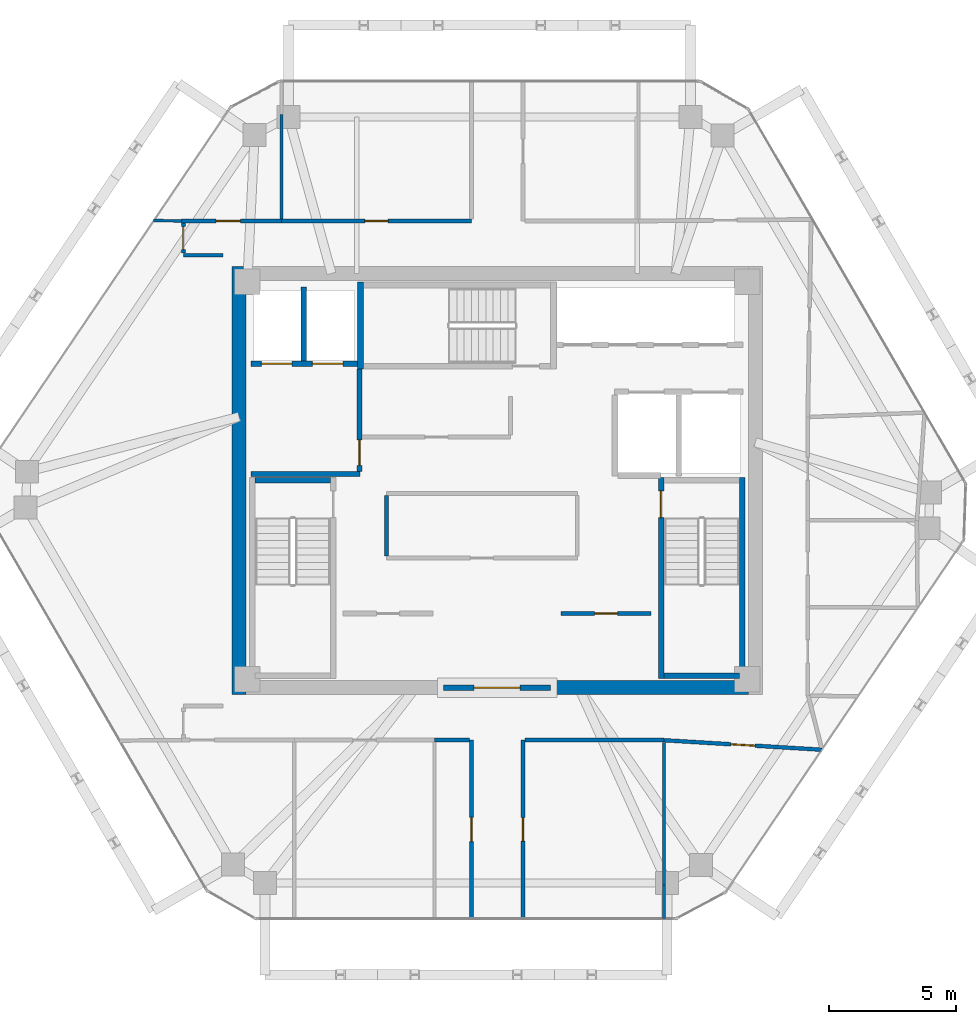
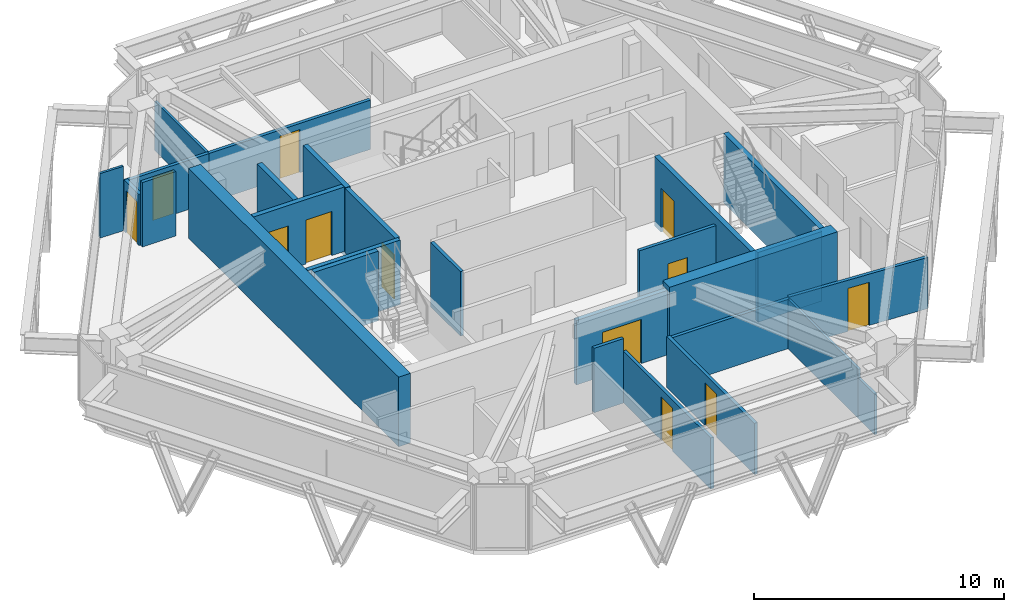
# One storey, part 8 of 11: 27 walls, 12 doors, 12 openings.
"""IFC4 building model written with IfcOpenShell, lengths in metres."""

import ifcopenshell
import ifcopenshell.guid

model = None  # the IFC model being written
_history = None  # IfcOwnerHistory: only IFC2X3 demands one
_inside = {}  # id of a spatial element -> (the spatial element, [elements in it])
_under = {}  # id of a project, library or spatial element -> (it, [spatial elements below it])
_declared = {}  # id of a project -> (the project, [libraries it declares])
_typed = {}  # id of a type object -> (the type object, [elements of that type])
_made_of = {}  # id of a material, layer set ... -> (it, [elements and type objects made of it])


def new_model(schema):
    """Start an empty IFC model of exactly this schema.

    Asked for "IFC4X3", IfcOpenShell would pick the latest addendum, in which some entities
    have other attributes; the version numbers below select the first issue.
    IFC2X3 requires an IfcOwnerHistory on every rooted entity: one is made here for all.
    """
    global model, _history
    if schema == "IFC4X3":
        model = ifcopenshell.file(schema_version=(4, 3, 0, 0))
    else:
        model = ifcopenshell.file(schema=schema)
    _inside.clear()
    _under.clear()
    _declared.clear()
    _typed.clear()
    _made_of.clear()
    _history = None
    if model.schema == "IFC2X3":
        org = make("IfcOrganization", Name="unknown")
        user = make(
            "IfcPersonAndOrganization",
            ThePerson=make("IfcPerson", FamilyName="unknown"),
            TheOrganization=org,
        )
        app = make(
            "IfcApplication",
            ApplicationDeveloper=org,
            Version="unknown",
            ApplicationFullName="unknown",
            ApplicationIdentifier="unknown",
        )
        _history = make(
            "IfcOwnerHistory",
            OwningUser=user,
            OwningApplication=app,
            ChangeAction="ADDED",
            CreationDate=0,
        )
    return model


def make(cls, **values):
    """One entity of the class cls with the attributes given. An attribute that is None is left unset."""
    return model.create_entity(
        cls, **{name: value for name, value in values.items() if value is not None}
    )


def rooted(cls, **values):
    """An entity with a GlobalId (a new one), such as an element, a storey or a relation."""
    return make(cls, GlobalId=ifcopenshell.guid.new(), OwnerHistory=_history, **values)


def si_unit(unit_type, name, prefix=None):
    """IfcSIUnit, for example si_unit("LENGTHUNIT", "METRE", prefix="MILLI")."""
    return make("IfcSIUnit", UnitType=unit_type, Prefix=prefix, Name=name)


def assignment(units):
    """IfcUnitAssignment: the units of a project."""
    return None if units is None else make("IfcUnitAssignment", Units=units)


def point(xyz):
    """IfcCartesianPoint."""
    return None if xyz is None else make("IfcCartesianPoint", Coordinates=xyz)


def direction(xyz):
    """IfcDirection."""
    return None if xyz is None else make("IfcDirection", DirectionRatios=xyz)


def frame(location, z_axis=None, x_axis=None):
    """IfcAxis2Placement3D, a coordinate frame: its origin and axes. An axis left out is left unset."""
    return make(
        "IfcAxis2Placement3D",
        Location=point(location),
        Axis=direction(z_axis),
        RefDirection=direction(x_axis),
    )


def frame_2d(location, x_axis=None):
    """IfcAxis2Placement2D, a coordinate frame in the plane: its origin and x axis."""
    return make(
        "IfcAxis2Placement2D", Location=point(location), RefDirection=direction(x_axis)
    )


def origin():
    """The frame at (0, 0, 0) with its axes left unset."""
    return frame((0.0, 0.0, 0.0))


def place(relative_to, where):
    """IfcLocalPlacement: puts the frame where relative to a parent placement (None: the world)."""
    return make(
        "IfcLocalPlacement", PlacementRelTo=relative_to, RelativePlacement=where
    )


def context(
    kind, dimensions, precision=None, world=None, true_north=None, identifier=None
):
    """IfcGeometricRepresentationContext, for example the 3D "Model" context."""
    return make(
        "IfcGeometricRepresentationContext",
        ContextIdentifier=identifier,
        ContextType=kind,
        CoordinateSpaceDimension=dimensions,
        Precision=precision,
        WorldCoordinateSystem=world,
        TrueNorth=true_north,
    )


def subcontext(parent, identifier, kind, view, scale=None):
    """IfcGeometricRepresentationSubContext, for example "Body" below "Model"."""
    return make(
        "IfcGeometricRepresentationSubContext",
        ContextIdentifier=identifier,
        ContextType=kind,
        ParentContext=parent,
        TargetScale=scale,
        TargetView=view,
    )


def project(units=None, contexts=None):
    """IfcProject with its units and contexts."""
    return rooted(
        "IfcProject",
        Name="project",
        RepresentationContexts=contexts,
        UnitsInContext=assignment(units),
    )


def spatial(cls, under=None, at=None, **own):
    """A site, building, storey or space (cls), placed at a placement, below another one or the project."""
    s = rooted(cls, ObjectPlacement=at, **own)
    if under is not None:
        _under.setdefault(under.id(), (under, []))[1].append(s)
    return s


def profile(cls, at=None, kind="AREA", **sizes):
    """A parametric profile (cls). Its sizes go by their IFC names, for example OverallWidth=200.0."""
    return make(cls, ProfileType=kind, Position=at, **sizes)


def rectangle(**sizes):
    """IfcRectangleProfileDef."""
    return profile("IfcRectangleProfileDef", **sizes)


def extrude(swept, where, along, depth):
    """IfcExtrudedAreaSolid: the profile swept, set in the frame where, extruded along a direction by depth."""
    return make(
        "IfcExtrudedAreaSolid",
        SweptArea=swept,
        Position=where,
        ExtrudedDirection=direction(along),
        Depth=depth,
    )


def shape(context_of_items, identifier, shape_type, items):
    """IfcShapeRepresentation: the items that make up one representation, for example the "Body"."""
    return make(
        "IfcShapeRepresentation",
        ContextOfItems=context_of_items,
        RepresentationIdentifier=identifier,
        RepresentationType=shape_type,
        Items=items,
    )


def source(mapping_origin, context_of_items, identifier, shape_type, items):
    """IfcRepresentationMap: a shape defined once, which mapped items show again and again."""
    return make(
        "IfcRepresentationMap",
        MappingOrigin=mapping_origin,
        MappedRepresentation=shape(context_of_items, identifier, shape_type, items),
    )


def transform(
    local_origin,
    x_axis=None,
    y_axis=None,
    z_axis=None,
    scale=None,
    scale2=None,
    scale3=None,
    uniform=True,
):
    """IfcCartesianTransformationOperator3D, or its non-uniform kind. x_axis, y_axis, z_axis: its Axis1, 2, 3."""
    if uniform:
        return make(
            "IfcCartesianTransformationOperator3D",
            Axis1=direction(x_axis),
            Axis2=direction(y_axis),
            LocalOrigin=point(local_origin),
            Scale=scale,
            Axis3=direction(z_axis),
        )
    return make(
        "IfcCartesianTransformationOperator3DnonUniform",
        Axis1=direction(x_axis),
        Axis2=direction(y_axis),
        LocalOrigin=point(local_origin),
        Scale=scale,
        Axis3=direction(z_axis),
        Scale2=scale2,
        Scale3=scale3,
    )


def mapped(mapping_source, mapping_target):
    """IfcMappedItem: shows the shape of a source again, moved by a transform."""
    return make(
        "IfcMappedItem", MappingSource=mapping_source, MappingTarget=mapping_target
    )


def material(Name=None, Category=None):
    """IfcMaterial."""
    return make("IfcMaterial", Name=Name, Category=Category)


def layer(
    of_material, thickness, ventilated=None, Name=None, Category=None, Priority=None
):
    """IfcMaterialLayer: one layer of a wall or slab, of a material (None: an air gap)."""
    return make(
        "IfcMaterialLayer",
        Material=of_material,
        LayerThickness=thickness,
        IsVentilated=ventilated,
        Name=Name,
        Category=Category,
        Priority=Priority,
    )


def layer_set(layers, Name=None):
    """IfcMaterialLayerSet."""
    return make("IfcMaterialLayerSet", MaterialLayers=layers, LayerSetName=Name)


def made_of(thing, what):
    """Note that an element or type object is made of a material, layer set ...; save() writes the relation."""
    if what is not None:
        _made_of.setdefault(what.id(), (what, []))[1].append(thing)
    return thing


def type_object(cls, material=None, **own):
    """A type object (cls), such as IfcWallType, which elements share."""
    return made_of(rooted(cls, **own), material)


def type_shapes(of_type, sources):
    """Give a type object the sources (RepresentationMaps) that its elements show as mapped items."""
    of_type.RepresentationMaps = sources


def element(
    cls,
    number,
    at=None,
    inside=None,
    cuts=None,
    type_object=None,
    material=None,
    context=None,
    identifier="Body",
    shape_type=None,
    held_by="IfcProductDefinitionShape",
    body=None,
    shapes=None,
    **own,
):
    """One element of the class cls, such as IfcWall. Its Tag is "e" and its number.

    at: its placement. inside: the storey or other place that contains it. cuts: it is an
    opening in that element (IfcRelVoidsElement). A single representation is given by context,
    identifier, shape_type and body (its items); several are given by shapes. held_by: the class
    of the entity that holds the representations. save() writes the other relations.
    """
    e = rooted(cls, Tag="e%d" % number, ObjectPlacement=at, **own)
    if body is not None:
        shapes = [shape(context, identifier, shape_type, body)]
    if shapes is not None:
        e.Representation = make(held_by, Representations=shapes)
    if inside is not None:
        _inside.setdefault(inside.id(), (inside, []))[1].append(e)
    if cuts is not None:
        rooted(
            "IfcRelVoidsElement", RelatingBuildingElement=cuts, RelatedOpeningElement=e
        )
    if type_object is not None:
        _typed.setdefault(type_object.id(), (type_object, []))[1].append(e)
    return made_of(e, material)


def fill(opening, filler):
    """IfcRelFillsElement: the door or window that sits in an opening."""
    return rooted(
        "IfcRelFillsElement",
        RelatingOpeningElement=opening,
        RelatedBuildingElement=filler,
    )


def aggregate(whole, parts):
    """IfcRelAggregates: a whole, such as a stair, and the parts it consists of."""
    return rooted("IfcRelAggregates", RelatingObject=whole, RelatedObjects=parts)


def save(model, path):
    """Write the relations noted so far, then the file.

    IfcRelAggregates (storeys below a building ...), IfcRelContainedInSpatialStructure (elements
    in a storey), IfcRelDefinesByType, IfcRelAssociatesMaterial and IfcRelDeclares: one each for
    every whole, place, type object, material and project.
    """
    for whole, parts in _under.values():
        aggregate(whole, parts)
    for where, things in _inside.values():
        rooted(
            "IfcRelContainedInSpatialStructure",
            RelatedElements=things,
            RelatingStructure=where,
        )
    for kind, things in _typed.values():
        rooted("IfcRelDefinesByType", RelatedObjects=things, RelatingType=kind)
    for what, things in _made_of.values():
        rooted("IfcRelAssociatesMaterial", RelatedObjects=things, RelatingMaterial=what)
    for by, libraries in _declared.values():
        rooted("IfcRelDeclares", RelatingContext=by, RelatedDefinitions=libraries)
    model.write(path)


model = new_model("IFC4")

# Units and contexts
model_context = context("Model", 3, precision=1e-05, world=origin(), true_north=direction((0.0, 1.0)))
body_context = subcontext(model_context, "Body", "Model", "MODEL_VIEW")
ifc_project = project(units=[si_unit("LENGTHUNIT", "METRE"), si_unit("AREAUNIT", "SQUARE_METRE"), si_unit("VOLUMEUNIT", "CUBIC_METRE"), si_unit("PLANEANGLEUNIT", "RADIAN"), si_unit("MASSUNIT", "GRAM", prefix="KILO")], contexts=[model_context])

# Site, building, storey
site_placement = place(None, origin())
site = spatial("IfcSite", under=ifc_project, at=site_placement, CompositionType="ELEMENT")
building_placement = place(site_placement, origin())
building = spatial("IfcBuilding", under=site, at=building_placement, Name="Durnholm Broadcast Tower", CompositionType="ELEMENT")
storey_placement = place(building_placement, frame((0.0, 0.0, 251.300048828125)))
storey = spatial("IfcBuildingStorey", under=building, at=storey_placement, Name="L70", CompositionType="ELEMENT", Elevation=251.300048828125)

# Walls
ifc_material_1 = material(Name="Concrete C70/85", Category="concrete")
ifc_layer_1 = layer(ifc_material_1, 0.550048828125)
ifc_layer_set_1 = layer_set([ifc_layer_1], Name="Concrete C70/85")
wall_type_1 = type_object("IfcWallType", Name="WALL-CW-550", PredefinedType="SHEAR", material=ifc_layer_set_1)
wall_1_placement = place(storey_placement, frame((-10.125, -8.39990234375, 0.0), z_axis=(0.0, 0.0, 1.0), x_axis=(0.0, 1.0, 0.0)))
element("IfcWall", 1, at=wall_1_placement, inside=storey, type_object=wall_type_1, Name="L70 central core shear wall CW-WEST", PredefinedType="SHEAR", context=body_context, shape_type="SweptSolid", body=[
    extrude(rectangle(XDim=16.7998046875, YDim=0.550048828125, at=frame_2d((8.39990234375, 0.0))), origin(), (0.0, 0.0, 1.0), 3.39990234375),
])
wall_2_placement = place(storey_placement, frame((2.10009765625, -8.125, 0.0), z_axis=(0.0, 0.0, 1.0), x_axis=(1.0, 0.0, 0.0)))
element("IfcWall", 2, at=wall_2_placement, inside=storey, type_object=wall_type_1, Name="L70 central core shear wall CW-S2", PredefinedType="SHEAR", context=body_context, shape_type="SweptSolid", body=[
    extrude(rectangle(XDim=7.75, YDim=0.550048828125, at=frame_2d((3.875, 0.0))), origin(), (0.0, 0.0, 1.0), 3.39990234375),
])

# Wall, opening, door
ifc_material_2 = material(Name="Fire-Rated Gypsum Shaftwall", Category="concrete")
ifc_layer_2 = layer(ifc_material_2, 0.199951171875)
ifc_layer_set_2 = layer_set([ifc_layer_2], Name="Fire-Rated Gypsum Shaftwall")
wall_type_2 = type_object("IfcWallType", Name="WALL-LOB-200", PredefinedType="SOLIDWALL", material=ifc_layer_set_2)
wall_3_placement = place(storey_placement, frame((-2.10009765625, -8.125, 0.0), z_axis=(0.0, 0.0, 1.0), x_axis=(1.0, 0.0, 0.0)))
wall_3 = element("IfcWall", 3, at=wall_3_placement, inside=storey, type_object=wall_type_2, Name="L70 south core lobby fire screen", PredefinedType="SOLIDWALL", context=body_context, shape_type="SweptSolid", body=[
    extrude(rectangle(XDim=4.2001953125, YDim=0.199951171875, at=frame_2d((2.10009765625, 0.0))), origin(), (0.0, 0.0, 1.0), 3.14501953125),
])
opening_1_placement = place(wall_3_placement, frame((1.199951171875, 0.0, 0.0)))
opening_1 = element("IfcOpeningElement", 4, at=opening_1_placement, cuts=wall_3, Name="Opening DP-60", PredefinedType="OPENING", context=body_context, shape_type="SweptSolid", body=[
    extrude(rectangle(XDim=1.800048828125, YDim=2.14990234375, at=frame_2d((0.89990234375, 1.074951171875))), frame((0.0, 0.10986328125, 0.0), z_axis=(0.0, -1.0, 0.0), x_axis=(1.0, 0.0, 0.0)), (0.0, 0.0, 1.0), 0.219970703125),
])
ifc_material_3 = material(Name="Fire-Rated Double Corridor Door", Category="steel")
ifc_layer_3 = layer(ifc_material_3, 0.050048828125)
ifc_layer_set_3 = layer_set([ifc_layer_3], Name="Fire-Rated Double Corridor Door")
door_type_1 = type_object("IfcDoorType", Name="DOOR-PAIR-FD60", OperationType="DOUBLE_DOOR_SINGLE_SWING", PredefinedType="DOOR", material=ifc_layer_set_3)
shared_shape_1 = source(origin(), body_context, "Body", "SweptSolid", [
    extrude(rectangle(XDim=1.800048828125, YDim=2.14990234375, at=frame_2d((0.89990234375, 1.074951171875))), frame((0.0, 0.02490234375, 0.0), z_axis=(0.0, -1.0, 0.0), x_axis=(1.0, 0.0, 0.0)), (0.0, 0.0, 1.0), 0.050048828125),
])
type_shapes(door_type_1, [shared_shape_1])
door_1_placement = place(opening_1_placement, origin())
door_1 = element("IfcDoor", 5, at=door_1_placement, inside=storey, type_object=door_type_1, Name="L70 south core lobby double fire door", OperationType="DOUBLE_DOOR_SINGLE_SWING", OverallHeight=2.14990234375, OverallWidth=1.800048828125, PredefinedType="DOOR", context=body_context, shape_type="MappedRepresentation", body=[
    mapped(shared_shape_1, transform((0.0, 0.0, 0.0), x_axis=(1.0, 0.0, 0.0), y_axis=(0.0, 1.0, 0.0), z_axis=(0.0, 0.0, 1.0), scale=1.0)),
])
fill(opening_1, door_1)

# Wall
wall_4_placement = place(storey_placement, frame((-9.64990234375, 0.25, 0.0), z_axis=(0.0, 0.0, 1.0), x_axis=(1.0, 0.0, 0.0)))
element("IfcWall", 6, at=wall_4_placement, inside=storey, type_object=wall_type_2, Name="L70 Fire Service Access Elevator lobby south wall", PredefinedType="SOLIDWALL", context=body_context, shape_type="SweptSolid", body=[
    extrude(rectangle(XDim=4.27001953125, YDim=0.199951171875, at=frame_2d((2.135009765625, 0.0))), origin(), (0.0, 0.0, 1.0), 3.14501953125),
])

# Wall, opening, door
wall_5_placement = place(storey_placement, frame((-5.39990234375, 0.35400390625, 0.0), z_axis=(0.0, 0.0, 1.0), x_axis=(0.0, 1.0, 0.0)))
wall_5 = element("IfcWall", 7, at=wall_5_placement, inside=storey, type_object=wall_type_2, Name="L70 Fire Service Access Elevator lobby east fire wall", PredefinedType="SOLIDWALL", context=body_context, shape_type="SweptSolid", body=[
    extrude(rectangle(XDim=4.02587890625, YDim=0.199951171875, at=frame_2d((2.012939453125, 0.0))), origin(), (0.0, 0.0, 1.0), 3.14501953125),
])
opening_2_placement = place(wall_5_placement, frame((0.24609375, 0.0, 0.0)))
opening_2 = element("IfcOpeningElement", 8, at=opening_2_placement, cuts=wall_5, Name="Opening DL-60L", PredefinedType="OPENING", context=body_context, shape_type="SweptSolid", body=[
    extrude(rectangle(XDim=1.0, YDim=2.14990234375, at=frame_2d((0.5, 1.074951171875))), frame((0.0, 0.10986328125, 0.0), z_axis=(0.0, -1.0, 0.0), x_axis=(1.0, 0.0, 0.0)), (0.0, 0.0, 1.0), 0.219970703125),
])
ifc_material_4 = material(Name="Fire-Rated Timber/Steel Door", Category="steel")
ifc_layer_4 = layer(ifc_material_4, 0.050048828125)
ifc_layer_set_4 = layer_set([ifc_layer_4], Name="Fire-Rated Timber/Steel Door")
door_type_2 = type_object("IfcDoorType", Name="DOOR-LOB-FD60-L", OperationType="NOTDEFINED", PredefinedType="DOOR", material=ifc_layer_set_4)
shared_shape_2 = source(origin(), body_context, "Body", "SweptSolid", [
    extrude(rectangle(XDim=1.0, YDim=2.14990234375, at=frame_2d((0.5, 1.074951171875))), frame((0.0, 0.02490234375, 0.0), z_axis=(0.0, -1.0, 0.0), x_axis=(1.0, 0.0, 0.0)), (0.0, 0.0, 1.0), 0.050048828125),
])
type_shapes(door_type_2, [shared_shape_2])
door_2_placement = place(opening_2_placement, origin())
door_2 = element("IfcDoor", 9, at=door_2_placement, inside=storey, type_object=door_type_2, Name="L70 Fire Service Access Elevator lobby smoke door", OperationType="SINGLE_SWING_LEFT", OverallHeight=2.14990234375, OverallWidth=1.0, PredefinedType="DOOR", context=body_context, shape_type="MappedRepresentation", body=[
    mapped(shared_shape_2, transform((0.0, 0.0, 0.0), x_axis=(1.0, 0.0, 0.0), y_axis=(0.0, 1.0, 0.0), z_axis=(0.0, 0.0, 1.0), scale=1.0)),
])
fill(opening_2, door_2)

# Walls
ifc_material_5 = material(Name="Operable Acoustic Panel Partition", Category="aluminium")
ifc_layer_5 = layer(ifc_material_5, 0.110107421875)
ifc_layer_set_5 = layer_set([ifc_layer_5], Name="Operable Acoustic Panel Partition")
wall_type_3 = type_object("IfcWallType", Name="WALL-MOV-110", PredefinedType="MOVABLE", material=ifc_layer_set_5)
wall_6_placement = place(storey_placement, frame((-8.4599609375, 14.361083984375, 0.0), z_axis=(0.0, 0.0, 1.0), x_axis=(0.0, -1.0, 0.0)))
element("IfcWall", 10, at=wall_6_placement, inside=storey, type_object=wall_type_3, Name="L70 room dividing partition 8.9", PredefinedType="MOVABLE", context=body_context, shape_type="SweptSolid", body=[
    extrude(rectangle(XDim=4.10205078125, YDim=0.110107421875, at=frame_2d((2.051025390625, 0.0))), origin(), (0.0, 0.0, 1.0), 2.4013671875),
])
wall_7_placement = place(storey_placement, frame((-12.389892578125, 10.181396484375, 0.0), z_axis=(0.0, 0.0, 1.0), x_axis=(-0.999812128272, 0.019383192748, 0.0)))
element("IfcWall", 11, at=wall_7_placement, inside=storey, type_object=wall_type_3, Name="L70 room dividing partition 8.18", PredefinedType="MOVABLE", context=body_context, shape_type="SweptSolid", body=[
    extrude(rectangle(XDim=1.083251953125, YDim=0.110107421875, at=frame_2d((0.54150390625, 0.0))), origin(), (0.0, 0.0, 1.0), 3.14501953125),
])
wall_8_placement = place(storey_placement, frame((6.5400390625, -10.263916015625, 0.0), z_axis=(0.0, 0.0, 1.0), x_axis=(0.0, -1.0, 0.0)))
element("IfcWall", 12, at=wall_8_placement, inside=storey, type_object=wall_type_3, Name="L70 room dividing partition 15.16", PredefinedType="MOVABLE", context=body_context, shape_type="SweptSolid", body=[
    extrude(rectangle(XDim=5.606201171875, YDim=0.110107421875, at=frame_2d((2.80322265625, 0.0))), origin(), (0.0, 0.0, 1.0), 2.4013671875),
])
wall_9_placement = place(storey_placement, frame((6.5400390625, -15.8701171875, 0.0), z_axis=(0.0, 0.0, 1.0), x_axis=(0.0, -1.0, 0.0)))
element("IfcWall", 13, at=wall_9_placement, inside=storey, type_object=wall_type_3, Name="L70 room dividing partition 15.16", PredefinedType="MOVABLE", context=body_context, shape_type="SweptSolid", body=[
    extrude(rectangle(XDim=1.31591796875, YDim=0.110107421875, at=frame_2d((0.657958984375, 0.0))), origin(), (0.0, 0.0, 1.0), 1.97705078125),
])

# Wall, opening, door
ifc_material_6 = material(Name="Acoustic Gypsum Stud Partition", Category="concrete")
ifc_layer_6 = layer(ifc_material_6, 0.14990234375)
ifc_layer_set_6 = layer_set([ifc_layer_6], Name="Acoustic Gypsum Stud Partition")
wall_type_4 = type_object("IfcWallType", Name="WALL-PART-150", PredefinedType="PARTITIONING", material=ifc_layer_set_6)
wall_10_placement = place(storey_placement, frame((2.510009765625, -5.2099609375, 0.0), z_axis=(0.0, 0.0, 1.0), x_axis=(1.0, 0.0, 0.0)))
wall_10 = element("IfcWall", 14, at=wall_10_placement, inside=storey, type_object=wall_type_4, Name="L70 Editorial Beverage Pantry corridor partition", PredefinedType="PARTITIONING", context=body_context, shape_type="SweptSolid", body=[
    extrude(rectangle(XDim=3.530029296875, YDim=0.14990234375, at=frame_2d((1.76513671875, 0.0))), origin(), (0.0, 0.0, 1.0), 3.14501953125),
])
opening_3_placement = place(wall_10_placement, frame((1.31494140625, 0.0, 0.0)))
opening_3 = element("IfcOpeningElement", 15, at=opening_3_placement, cuts=wall_10, Name="Opening DC-60L", PredefinedType="OPENING", context=body_context, shape_type="SweptSolid", body=[
    extrude(rectangle(XDim=0.89990234375, YDim=2.050048828125, at=frame_2d((0.449951171875, 1.02490234375))), frame((0.0, 0.0849609375, 0.0), z_axis=(0.0, -1.0, 0.0), x_axis=(1.0, 0.0, 0.0)), (0.0, 0.0, 1.0), 0.169921875),
])
ifc_material_7 = material(Name="Fire-Rated Core Service Door", Category="steel")
ifc_layer_7 = layer(ifc_material_7, 0.050048828125)
ifc_layer_set_7 = layer_set([ifc_layer_7], Name="Fire-Rated Core Service Door")
door_type_3 = type_object("IfcDoorType", Name="DOOR-CORE-FD60-L", OperationType="NOTDEFINED", PredefinedType="DOOR", material=ifc_layer_set_7)
shared_shape_3 = source(origin(), body_context, "Body", "SweptSolid", [
    extrude(rectangle(XDim=0.89990234375, YDim=2.050048828125, at=frame_2d((0.449951171875, 1.02490234375))), frame((0.0, 0.02490234375, 0.0), z_axis=(0.0, -1.0, 0.0), x_axis=(1.0, 0.0, 0.0)), (0.0, 0.0, 1.0), 0.050048828125),
])
type_shapes(door_type_3, [shared_shape_3])
door_3_placement = place(opening_3_placement, origin())
door_3 = element("IfcDoor", 16, at=door_3_placement, inside=storey, type_object=door_type_3, Name="L70 Editorial Beverage Pantry entrance door", OperationType="SINGLE_SWING_LEFT", OverallHeight=2.050048828125, OverallWidth=0.89990234375, PredefinedType="DOOR", context=body_context, shape_type="MappedRepresentation", body=[
    mapped(shared_shape_3, transform((0.0, 0.0, 0.0), x_axis=(1.0, 0.0, 0.0), y_axis=(0.0, 1.0, 0.0), z_axis=(0.0, 0.0, 1.0), scale=1.0)),
])
fill(opening_3, door_3)

# Wall
wall_11_placement = place(storey_placement, frame((-4.340087890625, -2.9609375, 0.0), z_axis=(0.0, 0.0, 1.0), x_axis=(0.0, 1.0, 0.0)))
element("IfcWall", 17, at=wall_11_placement, inside=storey, type_object=wall_type_4, Name="L70 Broadcast Equipment Pantry corridor partition", PredefinedType="PARTITIONING", context=body_context, shape_type="SweptSolid", body=[
    extrude(rectangle(XDim=2.371826171875, YDim=0.14990234375, at=frame_2d((1.18603515625, 0.0))), origin(), (0.0, 0.0, 1.0), 3.14501953125),
])

# Wall, opening, door
wall_12_placement = place(storey_placement, frame((-8.4599609375, 10.179931640625, 0.0), z_axis=(0.0, 0.0, 1.0), x_axis=(-1.0, 0.0, 0.0)))
wall_12 = element("IfcWall", 18, at=wall_12_placement, inside=storey, type_object=wall_type_4, Name="L70 Fellows Meeting Room 1 corridor partition", PredefinedType="PARTITIONING", context=body_context, shape_type="SweptSolid", body=[
    extrude(rectangle(XDim=3.929931640625, YDim=0.14990234375, at=frame_2d((1.96484375, 0.0))), origin(), (0.0, 0.0, 1.0), 2.4013671875),
])
opening_4_placement = place(wall_12_placement, frame((1.610107421875, 0.0, 0.0)))
opening_4 = element("IfcOpeningElement", 19, at=opening_4_placement, cuts=wall_12, Name="Opening DR-95L", PredefinedType="OPENING", context=body_context, shape_type="SweptSolid", body=[
    extrude(rectangle(XDim=0.949951171875, YDim=2.10009765625, at=frame_2d((0.47509765625, 1.050048828125))), frame((0.0, 0.0849609375, 0.0), z_axis=(0.0, -1.0, 0.0), x_axis=(1.0, 0.0, 0.0)), (0.0, 0.0, 1.0), 0.169921875),
])
ifc_material_8 = material(Name="Acoustic Oak Veneer Timber Door", Category="wood")
ifc_layer_8 = layer(ifc_material_8, 0.050048828125)
ifc_layer_set_8 = layer_set([ifc_layer_8], Name="Acoustic Oak Veneer Timber Door")
door_type_4 = type_object("IfcDoorType", Name="DOOR-RM-950L", OperationType="NOTDEFINED", PredefinedType="DOOR", material=ifc_layer_set_8)
shared_shape_4 = source(origin(), body_context, "Body", "SweptSolid", [
    extrude(rectangle(XDim=0.949951171875, YDim=2.10009765625, at=frame_2d((0.47509765625, 1.050048828125))), frame((0.0, 0.02490234375, 0.0), z_axis=(0.0, -1.0, 0.0), x_axis=(1.0, 0.0, 0.0)), (0.0, 0.0, 1.0), 0.050048828125),
])
type_shapes(door_type_4, [shared_shape_4])
door_4_placement = place(opening_4_placement, origin())
door_4 = element("IfcDoor", 20, at=door_4_placement, inside=storey, type_object=door_type_4, Name="L70 Fellows Meeting Room 1 entrance door", OperationType="SINGLE_SWING_LEFT", OverallHeight=2.10009765625, OverallWidth=0.949951171875, PredefinedType="DOOR", context=body_context, shape_type="MappedRepresentation", body=[
    mapped(shared_shape_4, transform((0.0, 0.0, 0.0), x_axis=(1.0, 0.0, 0.0), y_axis=(0.0, 1.0, 0.0), z_axis=(0.0, 0.0, 1.0), scale=1.0)),
])
fill(opening_4, door_4)

wall_13_placement = place(storey_placement, frame((-1.010009765625, 10.179931640625, 0.0), z_axis=(0.0, 0.0, 1.0), x_axis=(-1.0, 0.0, 0.0)))
wall_13 = element("IfcWall", 21, at=wall_13_placement, inside=storey, type_object=wall_type_4, Name="L70 Fellows Meeting Room 2 corridor partition", PredefinedType="PARTITIONING", context=body_context, shape_type="SweptSolid", body=[
    extrude(rectangle(XDim=7.449951171875, YDim=0.14990234375, at=frame_2d((3.72509765625, 0.0))), origin(), (0.0, 0.0, 1.0), 2.4013671875),
])
opening_5_placement = place(wall_13_placement, frame((3.264892578125, 0.0, 0.0)))
opening_5 = element("IfcOpeningElement", 22, at=opening_5_placement, cuts=wall_13, Name="Opening DR-92R", PredefinedType="OPENING", context=body_context, shape_type="SweptSolid", body=[
    extrude(rectangle(XDim=0.919921875, YDim=2.10009765625, at=frame_2d((0.4599609375, 1.050048828125))), frame((0.0, 0.0849609375, 0.0), z_axis=(0.0, -1.0, 0.0), x_axis=(1.0, 0.0, 0.0)), (0.0, 0.0, 1.0), 0.169921875),
])
ifc_material_9 = material(Name="Oak Veneer Office Door", Category="wood")
ifc_layer_9 = layer(ifc_material_9, 0.050048828125)
ifc_layer_set_9 = layer_set([ifc_layer_9], Name="Oak Veneer Office Door")
door_type_5 = type_object("IfcDoorType", Name="DOOR-RM-920R", OperationType="NOTDEFINED", PredefinedType="DOOR", material=ifc_layer_set_9)
shared_shape_5 = source(origin(), body_context, "Body", "SweptSolid", [
    extrude(rectangle(XDim=0.919921875, YDim=2.10009765625, at=frame_2d((0.4599609375, 1.050048828125))), frame((0.0, 0.02490234375, 0.0), z_axis=(0.0, -1.0, 0.0), x_axis=(1.0, 0.0, 0.0)), (0.0, 0.0, 1.0), 0.050048828125),
])
type_shapes(door_type_5, [shared_shape_5])
door_5_placement = place(opening_5_placement, origin())
door_5 = element("IfcDoor", 23, at=door_5_placement, inside=storey, type_object=door_type_5, Name="L70 Fellows Meeting Room 2 entrance door", OperationType="SINGLE_SWING_RIGHT", OverallHeight=2.10009765625, OverallWidth=0.919921875, PredefinedType="DOOR", context=body_context, shape_type="MappedRepresentation", body=[
    mapped(shared_shape_5, transform((0.0, 0.0, 0.0), x_axis=(1.0, 0.0, 0.0), y_axis=(0.0, 1.0, 0.0), z_axis=(0.0, 0.0, 1.0), scale=1.0)),
])
fill(opening_5, door_5)

wall_14_placement = place(storey_placement, frame((-1.010009765625, -10.179931640625, 0.0), z_axis=(0.0, 0.0, 1.0), x_axis=(0.0, -1.0, 0.0)))
wall_14 = element("IfcWall", 24, at=wall_14_placement, inside=storey, type_object=wall_type_4, Name="L70 Fellows Kitchen corridor partition", PredefinedType="PARTITIONING", context=body_context, shape_type="SweptSolid", body=[
    extrude(rectangle(XDim=7.006103515625, YDim=0.14990234375, at=frame_2d((3.5029296875, 0.0))), origin(), (0.0, 0.0, 1.0), 2.498779296875),
])
opening_6_placement = place(wall_14_placement, frame((3.028076171875, 0.0, 0.0)))
opening_6 = element("IfcOpeningElement", 25, at=opening_6_placement, cuts=wall_14, Name="Opening DR-95L", PredefinedType="OPENING", context=body_context, shape_type="SweptSolid", body=[
    extrude(rectangle(XDim=0.949951171875, YDim=2.10009765625, at=frame_2d((0.47509765625, 1.050048828125))), frame((0.0, 0.0849609375, 0.0), z_axis=(0.0, -1.0, 0.0), x_axis=(1.0, 0.0, 0.0)), (0.0, 0.0, 1.0), 0.169921875),
])
door_6_placement = place(opening_6_placement, origin())
door_6 = element("IfcDoor", 26, at=door_6_placement, inside=storey, type_object=door_type_4, Name="L70 Fellows Kitchen entrance door", OperationType="SINGLE_SWING_LEFT", OverallHeight=2.10009765625, OverallWidth=0.949951171875, PredefinedType="DOOR", context=body_context, shape_type="MappedRepresentation", body=[
    mapped(shared_shape_4, transform((0.0, 0.0, 0.0), x_axis=(1.0, 0.0, 0.0), y_axis=(0.0, 1.0, 0.0), z_axis=(0.0, 0.0, 1.0), scale=1.0)),
])
fill(opening_6, door_6)

# Wall
wall_15_placement = place(storey_placement, frame((-2.4599609375, -10.179931640625, 0.0), z_axis=(0.0, 0.0, 1.0), x_axis=(1.0, 0.0, 0.0)))
element("IfcWall", 27, at=wall_15_placement, inside=storey, type_object=wall_type_4, Name="L70 Fellows Kitchen corridor partition", PredefinedType="PARTITIONING", context=body_context, shape_type="SweptSolid", body=[
    extrude(rectangle(XDim=1.370849609375, YDim=0.14990234375, at=frame_2d((0.685546875, 0.0))), origin(), (0.0, 0.0, 1.0), 3.14501953125),
])

# Wall, opening, door
wall_16_placement = place(storey_placement, frame((1.010009765625, -17.18603515625, 0.0), z_axis=(0.0, 0.0, 1.0), x_axis=(0.0, 1.0, 0.0)))
wall_16 = element("IfcWall", 28, at=wall_16_placement, inside=storey, type_object=wall_type_4, Name="L70 Fellows Meeting Room 1 corridor partition", PredefinedType="PARTITIONING", context=body_context, shape_type="SweptSolid", body=[
    extrude(rectangle(XDim=7.006103515625, YDim=0.14990234375, at=frame_2d((3.5029296875, 0.0))), origin(), (0.0, 0.0, 1.0), 2.498779296875),
])
opening_7_placement = place(wall_16_placement, frame((3.04296875, 0.0, 0.0)))
opening_7 = element("IfcOpeningElement", 29, at=opening_7_placement, cuts=wall_16, Name="Opening DR-92R", PredefinedType="OPENING", context=body_context, shape_type="SweptSolid", body=[
    extrude(rectangle(XDim=0.919921875, YDim=2.10009765625, at=frame_2d((0.4599609375, 1.050048828125))), frame((0.0, 0.0849609375, 0.0), z_axis=(0.0, -1.0, 0.0), x_axis=(1.0, 0.0, 0.0)), (0.0, 0.0, 1.0), 0.169921875),
])
door_7_placement = place(opening_7_placement, origin())
door_7 = element("IfcDoor", 30, at=door_7_placement, inside=storey, type_object=door_type_5, Name="L70 Fellows Meeting Room 1 entrance door", OperationType="SINGLE_SWING_RIGHT", OverallHeight=2.10009765625, OverallWidth=0.919921875, PredefinedType="DOOR", context=body_context, shape_type="MappedRepresentation", body=[
    mapped(shared_shape_5, transform((0.0, 0.0, 0.0), x_axis=(1.0, 0.0, 0.0), y_axis=(0.0, 1.0, 0.0), z_axis=(0.0, 0.0, 1.0), scale=1.0)),
])
fill(opening_7, door_7)

# Wall
wall_17_placement = place(storey_placement, frame((1.089111328125, -10.179931640625, 0.0), z_axis=(0.0, 0.0, 1.0), x_axis=(1.0, 0.0, 0.0)))
element("IfcWall", 31, at=wall_17_placement, inside=storey, type_object=wall_type_4, Name="L70 Fellows Meeting Room 1 corridor partition", PredefinedType="PARTITIONING", context=body_context, shape_type="SweptSolid", body=[
    extrude(rectangle(XDim=5.450927734375, YDim=0.14990234375, at=frame_2d((2.7255859375, 0.0))), origin(), (0.0, 0.0, 1.0), 2.4013671875),
])

# Wall, opening, door
wall_18_placement = place(storey_placement, frame((6.5400390625, -10.184814453125, 0.0), z_axis=(0.0, 0.0, 1.0), x_axis=(0.9981941592, -0.060070130174, 0.0)))
wall_18 = element("IfcWall", 32, at=wall_18_placement, inside=storey, type_object=wall_type_4, Name="L70 Fellows Meeting Room 2 corridor partition", PredefinedType="PARTITIONING", context=body_context, shape_type="SweptSolid", body=[
    extrude(rectangle(XDim=6.210205078125, YDim=0.14990234375, at=frame_2d((3.10498046875, 0.0))), origin(), (0.0, 0.0, 1.0), 2.498779296875),
])
opening_8_placement = place(wall_18_placement, frame((2.630126953125, 0.0, 0.0)))
opening_8 = element("IfcOpeningElement", 33, at=opening_8_placement, cuts=wall_18, Name="Opening DR-95L", PredefinedType="OPENING", context=body_context, shape_type="SweptSolid", body=[
    extrude(rectangle(XDim=0.949951171875, YDim=2.10009765625, at=frame_2d((0.47509765625, 1.050048828125))), frame((0.0, 0.0849609375, 0.0), z_axis=(0.0, -1.0, 0.0), x_axis=(1.0, 0.0, 0.0)), (0.0, 0.0, 1.0), 0.169921875),
])
door_8_placement = place(opening_8_placement, origin())
door_8 = element("IfcDoor", 34, at=door_8_placement, inside=storey, type_object=door_type_4, Name="L70 Fellows Meeting Room 2 entrance door", OperationType="SINGLE_SWING_LEFT", OverallHeight=2.10009765625, OverallWidth=0.949951171875, PredefinedType="DOOR", context=body_context, shape_type="MappedRepresentation", body=[
    mapped(shared_shape_4, transform((0.0, 0.0, 0.0), x_axis=(1.0, 0.0, 0.0), y_axis=(0.0, 1.0, 0.0), z_axis=(0.0, 0.0, 1.0), scale=1.0)),
])
fill(opening_8, door_8)

# Wall
wall_19_placement = place(storey_placement, frame((-12.31005859375, 8.840087890625, 0.0), z_axis=(0.0, 0.0, 1.0), x_axis=(1.0, 0.0, 0.0)))
element("IfcWall", 35, at=wall_19_placement, inside=storey, type_object=wall_type_4, Name="L70 Endowment Lecture Auditorium corridor partition", PredefinedType="PARTITIONING", context=body_context, shape_type="SweptSolid", body=[
    extrude(rectangle(XDim=1.550048828125, YDim=0.14990234375, at=frame_2d((0.77490234375, 0.0))), origin(), (0.0, 0.0, 1.0), 3.14501953125),
])

# Wall, opening, door
wall_20_placement = place(storey_placement, frame((-12.31005859375, 10.10107421875, 0.0), z_axis=(0.0, 0.0, 1.0), x_axis=(0.0, -1.0, 0.0)))
wall_20 = element("IfcWall", 36, at=wall_20_placement, inside=storey, type_object=wall_type_4, Name="L70 Endowment Lecture Auditorium corridor partition", PredefinedType="PARTITIONING", context=body_context, shape_type="SweptSolid", body=[
    extrude(rectangle(XDim=1.18212890625, YDim=0.14990234375, at=frame_2d((0.591064453125, 0.0))), origin(), (0.0, 0.0, 1.0), 2.498779296875),
])
opening_9_placement = place(wall_20_placement, frame((0.14111328125, 0.0, 0.0)))
opening_9 = element("IfcOpeningElement", 37, at=opening_9_placement, cuts=wall_20, Name="Opening DW-90L", PredefinedType="OPENING", context=body_context, shape_type="SweptSolid", body=[
    extrude(rectangle(XDim=0.89990234375, YDim=2.050048828125, at=frame_2d((0.449951171875, 1.02490234375))), frame((0.0, 0.0849609375, 0.0), z_axis=(0.0, -1.0, 0.0), x_axis=(1.0, 0.0, 0.0)), (0.0, 0.0, 1.0), 0.169921875),
])
ifc_material_10 = material(Name="Laminate Restroom Door", Category="steel")
ifc_layer_10 = layer(ifc_material_10, 0.050048828125)
ifc_layer_set_10 = layer_set([ifc_layer_10], Name="Laminate Restroom Door")
door_type_6 = type_object("IfcDoorType", Name="DOOR-WC-900L", OperationType="NOTDEFINED", PredefinedType="DOOR", material=ifc_layer_set_10)
shared_shape_6 = source(origin(), body_context, "Body", "SweptSolid", [
    extrude(rectangle(XDim=0.89990234375, YDim=2.050048828125, at=frame_2d((0.449951171875, 1.02490234375))), frame((0.0, 0.02490234375, 0.0), z_axis=(0.0, -1.0, 0.0), x_axis=(1.0, 0.0, 0.0)), (0.0, 0.0, 1.0), 0.050048828125),
])
type_shapes(door_type_6, [shared_shape_6])
door_9_placement = place(opening_9_placement, origin())
door_9 = element("IfcDoor", 38, at=door_9_placement, inside=storey, type_object=door_type_6, Name="L70 Endowment Lecture Auditorium entrance door", OperationType="SINGLE_SWING_LEFT", OverallHeight=2.050048828125, OverallWidth=0.89990234375, PredefinedType="DOOR", context=body_context, shape_type="MappedRepresentation", body=[
    mapped(shared_shape_6, transform((0.0, 0.0, 0.0), x_axis=(1.0, 0.0, 0.0), y_axis=(0.0, 1.0, 0.0), z_axis=(0.0, 0.0, 1.0), scale=1.0)),
])
fill(opening_9, door_9)

# Wall, openings, doors
ifc_material_11 = material(Name="Concrete Blockwork C30/37", Category="masonry")
ifc_layer_11 = layer(ifc_material_11, 0.219970703125)
ifc_layer_set_11 = layer_set([ifc_layer_11], Name="Concrete Blockwork C30/37")
wall_type_5 = type_object("IfcWallType", Name="WALL-SHAFT-220", PredefinedType="SOLIDWALL", material=ifc_layer_set_11)
wall_21_placement = place(storey_placement, frame((-9.64990234375, 4.580078125, 0.0), z_axis=(0.0, 0.0, 1.0), x_axis=(1.0, 0.0, 0.0)))
wall_21 = element("IfcWall", 39, at=wall_21_placement, inside=storey, type_object=wall_type_5, Name="L70 FSAE hoistway front fire wall", PredefinedType="SOLIDWALL", context=body_context, shape_type="SweptSolid", body=[
    extrude(rectangle(XDim=4.1748046875, YDim=0.219970703125, at=frame_2d((2.08740234375, 0.0))), origin(), (0.0, 0.0, 1.0), 3.14501953125),
])
opening_10_placement = place(wall_21_placement, frame((0.39990234375, 0.0, 0.0)))
opening_10 = element("IfcOpeningElement", 40, at=opening_10_placement, cuts=wall_21, Name="Opening LD-FSAE-2", PredefinedType="OPENING", context=body_context, shape_type="SweptSolid", body=[
    extrude(rectangle(XDim=1.199951171875, YDim=2.14990234375, at=frame_2d((0.60009765625, 1.074951171875))), frame((0.0, 0.1201171875, 0.0), z_axis=(0.0, -1.0, 0.0), x_axis=(1.0, 0.0, 0.0)), (0.0, 0.0, 1.0), 0.239990234375),
])
opening_11_placement = place(wall_21_placement, frame((2.39990234375, 0.0, 0.0)))
opening_11 = element("IfcOpeningElement", 41, at=opening_11_placement, cuts=wall_21, Name="Opening LD-FSAE-1", PredefinedType="OPENING", context=body_context, shape_type="SweptSolid", body=[
    extrude(rectangle(XDim=1.199951171875, YDim=2.14990234375, at=frame_2d((0.60009765625, 1.074951171875))), frame((0.0, 0.1201171875, 0.0), z_axis=(0.0, -1.0, 0.0), x_axis=(1.0, 0.0, 0.0)), (0.0, 0.0, 1.0), 0.239990234375),
])
ifc_material_12 = material(Name="Fire Service Access Sliding Landing Door", Category="steel")
ifc_layer_12 = layer(ifc_material_12, 0.050048828125)
ifc_layer_set_12 = layer_set([ifc_layer_12], Name="Fire Service Access Sliding Landing Door")
door_type_7 = type_object("IfcDoorType", Name="DOOR-LIFT-FSAE", OperationType="DOUBLE_DOOR_SLIDING", PredefinedType="DOOR", material=ifc_layer_set_12)
shared_shape_7 = source(origin(), body_context, "Body", "SweptSolid", [
    extrude(rectangle(XDim=1.199951171875, YDim=2.14990234375, at=frame_2d((0.60009765625, 1.074951171875))), frame((0.0, 0.02490234375, 0.0), z_axis=(0.0, -1.0, 0.0), x_axis=(1.0, 0.0, 0.0)), (0.0, 0.0, 1.0), 0.050048828125),
])
type_shapes(door_type_7, [shared_shape_7])
door_10_placement = place(opening_10_placement, origin())
door_10 = element("IfcDoor", 42, at=door_10_placement, inside=storey, type_object=door_type_7, Name="L70 Fire Service Access Elevator FSAE-2 sliding landing door", OperationType="DOUBLE_DOOR_SLIDING", OverallHeight=2.14990234375, OverallWidth=1.199951171875, PredefinedType="DOOR", context=body_context, shape_type="MappedRepresentation", body=[
    mapped(shared_shape_7, transform((0.0, 0.0, 0.0), x_axis=(1.0, 0.0, 0.0), y_axis=(0.0, 1.0, 0.0), z_axis=(0.0, 0.0, 1.0), scale=1.0)),
])
fill(opening_10, door_10)
door_11_placement = place(opening_11_placement, origin())
door_11 = element("IfcDoor", 43, at=door_11_placement, inside=storey, type_object=door_type_7, Name="L70 Fire Service Access Elevator FSAE-1 sliding landing door", OperationType="DOUBLE_DOOR_SLIDING", OverallHeight=2.14990234375, OverallWidth=1.199951171875, PredefinedType="DOOR", context=body_context, shape_type="MappedRepresentation", body=[
    mapped(shared_shape_7, transform((0.0, 0.0, 0.0), x_axis=(1.0, 0.0, 0.0), y_axis=(0.0, 1.0, 0.0), z_axis=(0.0, 0.0, 1.0), scale=1.0)),
])
fill(opening_11, door_11)

# Walls
wall_22_placement = place(storey_placement, frame((-7.580078125, 4.694091796875, 0.0), z_axis=(0.0, 0.0, 1.0), x_axis=(0.0, 1.0, 0.0)))
element("IfcWall", 44, at=wall_22_placement, inside=storey, type_object=wall_type_5, Name="L70 FSAE shaft divider wall", PredefinedType="SOLIDWALL", context=body_context, shape_type="SweptSolid", body=[
    extrude(rectangle(XDim=2.906005859375, YDim=0.219970703125, at=frame_2d((1.453125, 0.0))), origin(), (0.0, 0.0, 1.0), 3.14501953125),
])
ifc_material_13 = material(Name="Concrete C50/60", Category="concrete")
ifc_layer_13 = layer(ifc_material_13, 0.219970703125)
ifc_layer_set_13 = layer_set([ifc_layer_13], Name="Concrete C50/60")
wall_type_6 = type_object("IfcWallType", Name="WALL-SW-220", PredefinedType="SHEAR", material=ifc_layer_set_13)
wall_23_placement = place(storey_placement, frame((-6.5400390625, 0.010009765625, -0.239990234375), z_axis=(0.0, 0.0, 1.0), x_axis=(-1.0, 0.0, 0.0)))
element("IfcWall", 45, at=wall_23_placement, inside=storey, type_object=wall_type_6, Name="L70 stair ST-1 structural shaft wall N", PredefinedType="SHEAR", context=body_context, shape_type="SweptSolid", body=[
    extrude(rectangle(XDim=2.9599609375, YDim=0.219970703125, at=frame_2d((1.47998046875, 0.0))), origin(), (0.0, 0.0, 1.0), 3.39990234375),
])
wall_24_placement = place(storey_placement, frame((9.610107421875, -7.77001953125, -0.239990234375), z_axis=(0.0, 0.0, 1.0), x_axis=(0.0, 1.0, 0.0)))
element("IfcWall", 46, at=wall_24_placement, inside=storey, type_object=wall_type_6, Name="L70 stair ST-2 structural shaft wall E", PredefinedType="SHEAR", context=body_context, shape_type="SweptSolid", body=[
    extrude(rectangle(XDim=7.89013671875, YDim=0.219970703125, at=frame_2d((3.945068359375, 0.0))), origin(), (0.0, 0.0, 1.0), 3.39990234375),
])

# Wall, opening, door
wall_25_placement = place(storey_placement, frame((6.429931640625, 0.1201171875, -0.239990234375), z_axis=(0.0, 0.0, 1.0), x_axis=(0.0, -1.0, 0.0)))
wall_25 = element("IfcWall", 47, at=wall_25_placement, inside=storey, type_object=wall_type_6, Name="L70 stair ST-2 structural shaft wall W", PredefinedType="SHEAR", context=body_context, shape_type="SweptSolid", body=[
    extrude(rectangle(XDim=7.89013671875, YDim=0.219970703125, at=frame_2d((3.945068359375, 0.0))), origin(), (0.0, 0.0, 1.0), 3.39990234375),
])
opening_12_placement = place(wall_25_placement, frame((0.52001953125, 0.0, 0.0)))
opening_12 = element("IfcOpeningElement", 48, at=opening_12_placement, cuts=wall_25, Name="Opening DS-90R", PredefinedType="OPENING", context=body_context, shape_type="SweptSolid", body=[
    extrude(rectangle(XDim=1.050048828125, YDim=2.14990234375, at=frame_2d((0.52490234375, 1.074951171875))), frame((0.0, 0.1201171875, 0.0), z_axis=(0.0, -1.0, 0.0), x_axis=(1.0, 0.0, 0.0)), (0.0, 0.0, 1.0), 0.239990234375),
])
ifc_material_14 = material(Name="Fire-Rated Steel Door", Category="steel")
ifc_layer_14 = layer(ifc_material_14, 0.050048828125)
ifc_layer_set_14 = layer_set([ifc_layer_14], Name="Fire-Rated Steel Door")
door_type_8 = type_object("IfcDoorType", Name="DOOR-ST-FD90-R", OperationType="NOTDEFINED", PredefinedType="DOOR", material=ifc_layer_set_14)
shared_shape_8 = source(origin(), body_context, "Body", "SweptSolid", [
    extrude(rectangle(XDim=1.050048828125, YDim=2.14990234375, at=frame_2d((0.52490234375, 1.074951171875))), frame((0.0, 0.02490234375, 0.0), z_axis=(0.0, -1.0, 0.0), x_axis=(1.0, 0.0, 0.0)), (0.0, 0.0, 1.0), 0.050048828125),
])
type_shapes(door_type_8, [shared_shape_8])
door_12_placement = place(opening_12_placement, origin())
door_12 = element("IfcDoor", 49, at=door_12_placement, inside=storey, type_object=door_type_8, Name="L70 exit stair ST-2 fire door", OperationType="SINGLE_SWING_RIGHT", OverallHeight=2.14990234375, OverallWidth=1.050048828125, PredefinedType="DOOR", context=body_context, shape_type="MappedRepresentation", body=[
    mapped(shared_shape_8, transform((0.0, 0.0, 0.0), x_axis=(1.0, 0.0, 0.0), y_axis=(0.0, 1.0, 0.0), z_axis=(0.0, 0.0, 1.0), scale=1.0)),
])
fill(opening_12, door_12)

# Walls
wall_26_placement = place(storey_placement, frame((6.5400390625, -7.659912109375, -0.239990234375), z_axis=(0.0, 0.0, 1.0), x_axis=(1.0, 0.0, 0.0)))
element("IfcWall", 50, at=wall_26_placement, inside=storey, type_object=wall_type_6, Name="L70 stair ST-2 structural shaft wall S", PredefinedType="SHEAR", context=body_context, shape_type="SweptSolid", body=[
    extrude(rectangle(XDim=2.9599609375, YDim=0.219970703125, at=frame_2d((1.47998046875, 0.0))), origin(), (0.0, 0.0, 1.0), 3.39990234375),
])
wall_27_placement = place(storey_placement, frame((-5.360107421875, 7.780029296875, -0.239990234375), z_axis=(0.0, 0.0, 1.0), x_axis=(0.0, -1.0, 0.0)))
element("IfcWall", 51, at=wall_27_placement, inside=storey, type_object=wall_type_6, Name="L70 stair ST-3 structural shaft wall W", PredefinedType="SHEAR", context=body_context, shape_type="SweptSolid", body=[
    extrude(rectangle(XDim=3.400146484375, YDim=0.219970703125, at=frame_2d((1.7001953125, 0.0))), origin(), (0.0, 0.0, 1.0), 3.39990234375),
])

save(model, "model.ifc")
